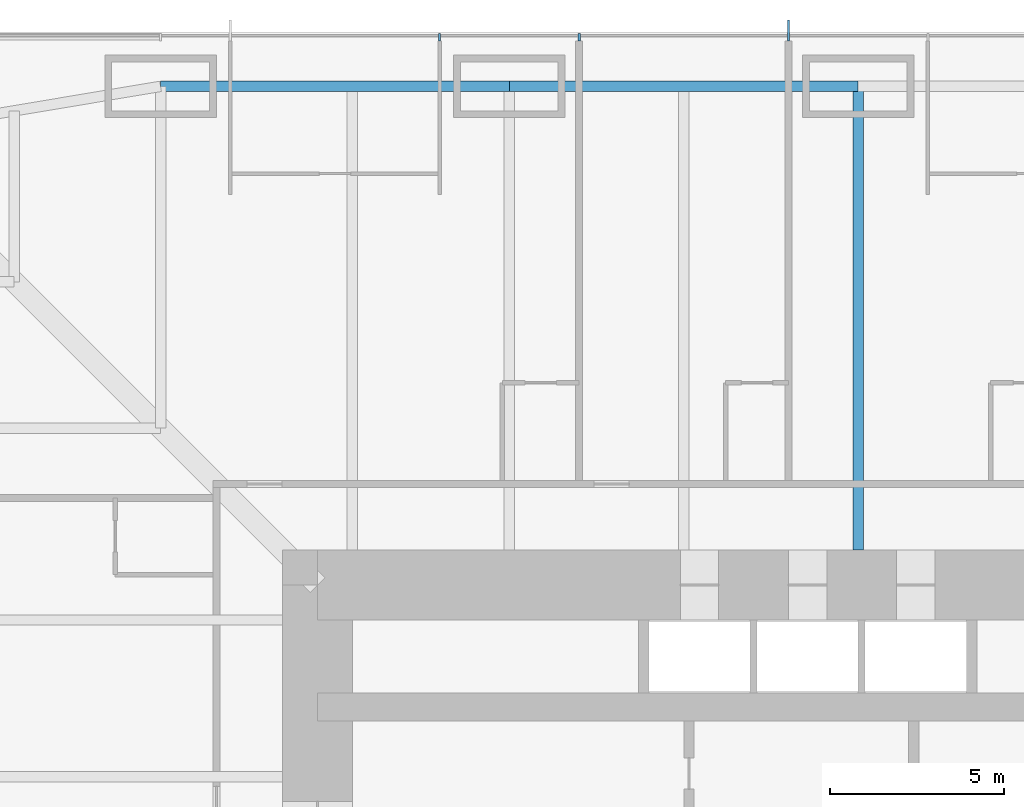
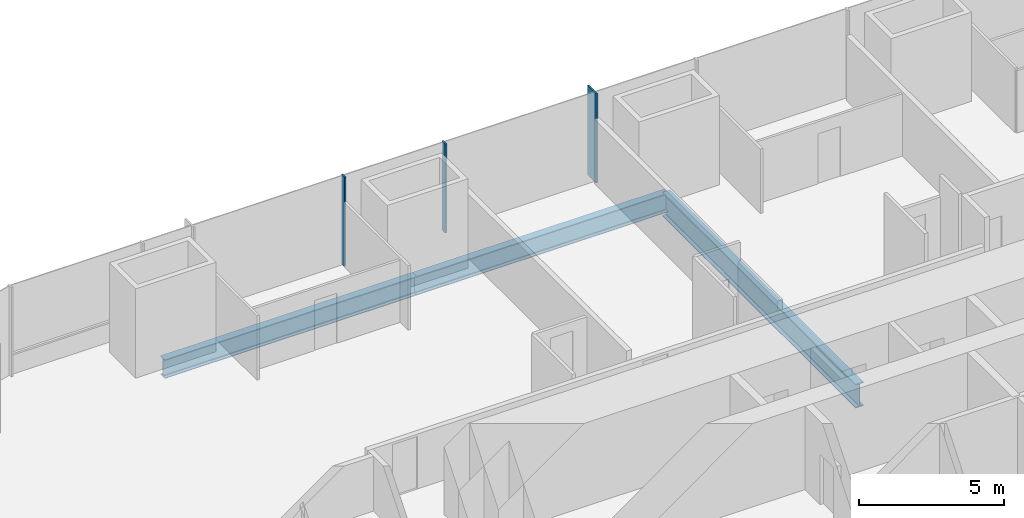
# One storey, part 7 of 16: 3 beams, 3 members, 1 element without a shape of its own.
"""IFC4 building model written with IfcOpenShell, lengths in metres."""

from ifc_helpers import new_model, si_unit, direction, frame, origin, origin_2d, place, context, subcontext, project, spatial, rectangle, i_section, extrude, material, material_profile, profile_set, type_object, element, aggregate, save


model = new_model("IFC4")

# Units and contexts
model_context = context("Model", 3, precision=1e-05, world=origin(), true_north=direction((0.0, 1.0)))
body_context = subcontext(model_context, "Body", "Model", "MODEL_VIEW")
ifc_project = project(units=[si_unit("LENGTHUNIT", "METRE"), si_unit("AREAUNIT", "SQUARE_METRE"), si_unit("VOLUMEUNIT", "CUBIC_METRE"), si_unit("PLANEANGLEUNIT", "RADIAN"), si_unit("MASSUNIT", "GRAM", prefix="KILO")], contexts=[model_context])

# Site, building, storey
site_placement = place(None, origin())
site = spatial("IfcSite", under=ifc_project, at=site_placement, CompositionType="ELEMENT")
building_placement = place(site_placement, origin())
building = spatial("IfcBuilding", under=site, at=building_placement, Name="Khuree Lantern Residences", CompositionType="ELEMENT")
storey_placement = place(building_placement, frame((0.0, 0.0, 66.0)))
storey = spatial("IfcBuildingStorey", under=building, at=storey_placement, Name="L16", CompositionType="ELEMENT", Elevation=66.0)

# Beams
ifc_material_1 = material(Name="Steel S355", Category="steel")
ifc_material_profile_1 = material_profile(ifc_material_1, i_section(OverallWidth=0.300048828125, OverallDepth=0.7900390625, WebThickness=0.014892578125, FlangeThickness=0.028076171875, FilletRadius=0.030029296875, at=origin_2d()), Name="HE 800 A")
ifc_profile_set_1 = profile_set([ifc_material_profile_1], Name="Steel S355")
beam_type_1 = type_object("IfcBeamType", Name="E-14 SPANDREL BEAM HE 800 A", PredefinedType="SPANDREL", material=ifc_profile_set_1)
for number, where, z_axis, x_axis, name in (
    (1, (-20.0, 29.800048828125, -0.64501953125), (1.0, 0.0, 0.0), (0.0, 1.0, 0.0), "Spandrel beam N1"),
    (2, (-10.0, 29.800048828125, -0.64501953125), (1.0, 0.0, 0.0), (0.0, 1.0, 0.0), "Spandrel beam N2"),
):
    element("IfcBeam", number, at=place(storey_placement, frame(where, z_axis=z_axis, x_axis=x_axis)), inside=storey, type_object=beam_type_1, Name=name, PredefinedType="SPANDREL", context=body_context, shape_type="SweptSolid", body=[
        extrude(i_section(OverallWidth=0.300048828125, OverallDepth=0.7900390625, WebThickness=0.014892578125, FlangeThickness=0.028076171875, FilletRadius=0.030029296875, at=origin_2d()), origin(), (0.0, 0.0, 1.0), 10.0),
    ])

# Curtain wall, member
ifc_material_2 = material(Name="Bronze anodised aluminium", Category="aluminium")
curtain_wall_type = type_object("IfcCurtainWallType", Name="CW-T1 TOWER FACE CURTAIN WALL", PredefinedType="USERDEFINED", material=ifc_material_2)
curtain_wall_placement = place(storey_placement, origin())
curtain_wall = element("IfcCurtainWall", 3, at=curtain_wall_placement, inside=storey, type_object=curtain_wall_type, Name="L16 NORTH FACE CURTAIN WALL", ObjectType="Stick-built curtain wall", PredefinedType="USERDEFINED")
ifc_material_profile_2 = material_profile(ifc_material_2, rectangle(XDim=0.06494140625, YDim=0.60009765625, at=origin_2d()), Name="F1 65X600")
ifc_profile_set_2 = profile_set([ifc_material_profile_2], Name="Bronze anodised aluminium")
member_type_1 = type_object("IfcMemberType", Name="F1 BRONZE FIN MULLION TOWER 65X600", PredefinedType="MULLION", material=ifc_profile_set_2)
member_1_placement = place(storey_placement, frame((-2.0, 31.39990234375, 0.0), z_axis=(0.0, 0.0, 1.0), x_axis=(-1.0, 0.0, 0.0)))
member_1 = element("IfcMember", 4, at=member_1_placement, type_object=member_type_1, Name="L16 NORTH FACE FIN MULLION 24", PredefinedType="MULLION", context=body_context, shape_type="SweptSolid", body=[
    extrude(rectangle(XDim=0.06494140625, YDim=0.60009765625, at=origin_2d()), origin(), (0.0, 0.0, 1.0), 3.75),
])

# Beam
ifc_material_profile_3 = material_profile(ifc_material_1, i_section(OverallWidth=0.302001953125, OverallDepth=1.008056640625, WebThickness=0.02099609375, FlangeThickness=0.0400390625, FilletRadius=0.030029296875, at=origin_2d()), Name="HE 1000 M")
ifc_profile_set_3 = profile_set([ifc_material_profile_3], Name="Steel S355")
beam_type_2 = type_object("IfcBeamType", Name="G-14 GIRDER HE 1000 M", PredefinedType="BEAM", material=ifc_profile_set_3)
beam_placement = place(storey_placement, frame((0.0, 29.800048828125, -0.75390625), z_axis=(0.0, -1.0, 0.0), x_axis=(1.0, 0.0, 0.0)))
element("IfcBeam", 5, at=beam_placement, inside=storey, type_object=beam_type_2, Name="Girder N3", PredefinedType="BEAM", context=body_context, shape_type="SweptSolid", body=[
    extrude(i_section(OverallWidth=0.302001953125, OverallDepth=1.008056640625, WebThickness=0.02099609375, FlangeThickness=0.0400390625, FilletRadius=0.030029296875, at=origin_2d()), origin(), (0.0, 0.0, 1.0), 13.300048828125),
])

# Member
ifc_material_profile_4 = material_profile(ifc_material_2, rectangle(XDim=0.06494140625, YDim=0.219970703125, at=origin_2d()), Name="M1 65X220")
ifc_profile_set_4 = profile_set([ifc_material_profile_4], Name="Bronze anodised aluminium")
member_type_2 = type_object("IfcMemberType", Name="M1 BRONZE MULLION TOWER 65X220", PredefinedType="MULLION", material=ifc_profile_set_4)
member_2_placement = place(storey_placement, frame((-8.0, 31.2099609375, 0.0), z_axis=(0.0, 0.0, 1.0), x_axis=(-1.0, 0.0, 0.0)))
member_2 = element("IfcMember", 6, at=member_2_placement, type_object=member_type_2, Name="L16 NORTH FACE MULLION 25", PredefinedType="MULLION", context=body_context, shape_type="SweptSolid", body=[
    extrude(rectangle(XDim=0.06494140625, YDim=0.219970703125, at=origin_2d()), origin(), (0.0, 0.0, 1.0), 3.75),
])

member_3_placement = place(storey_placement, frame((-12.0, 31.2099609375, 0.0), z_axis=(0.0, 0.0, 1.0), x_axis=(-1.0, 0.0, 0.0)))
member_3 = element("IfcMember", 7, at=member_3_placement, type_object=member_type_2, Name="L16 NORTH FACE MULLION 26", PredefinedType="MULLION", context=body_context, shape_type="SweptSolid", body=[
    extrude(rectangle(XDim=0.06494140625, YDim=0.219970703125, at=origin_2d()), origin(), (0.0, 0.0, 1.0), 3.75),
])

aggregate(curtain_wall, [member_1, member_2, member_3])

save(model, "model.ifc")
